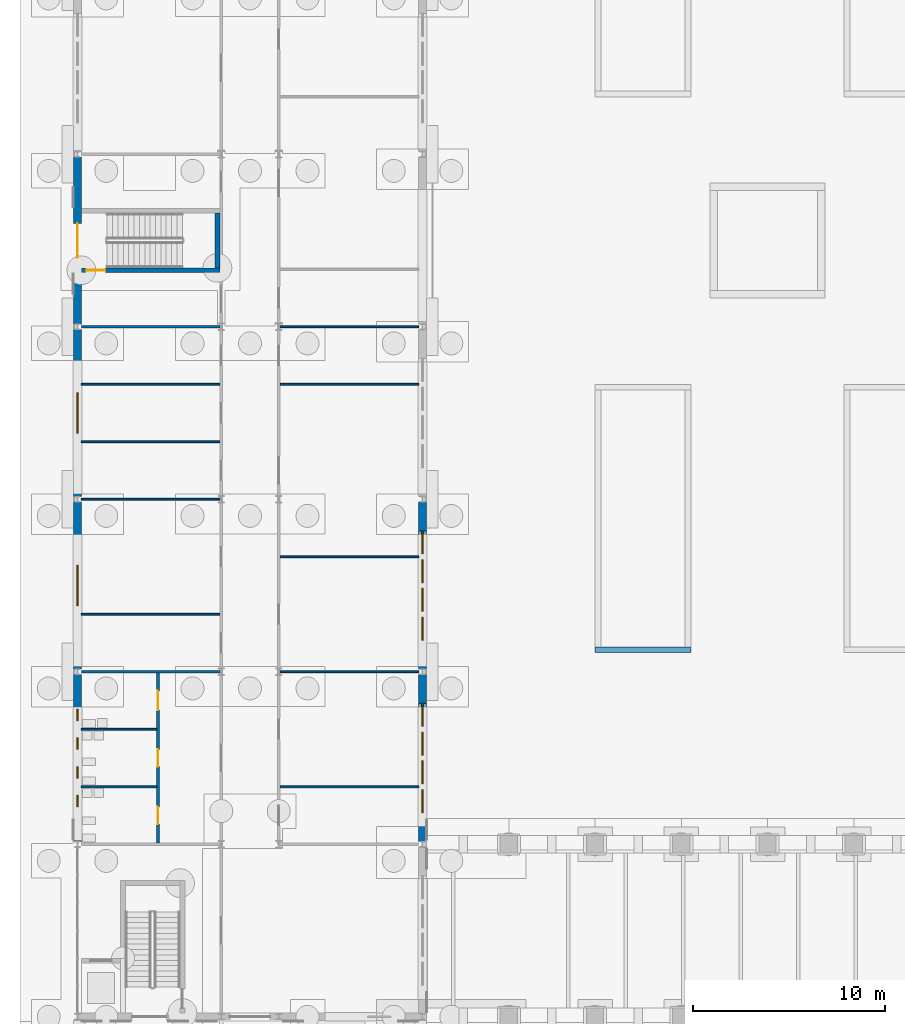
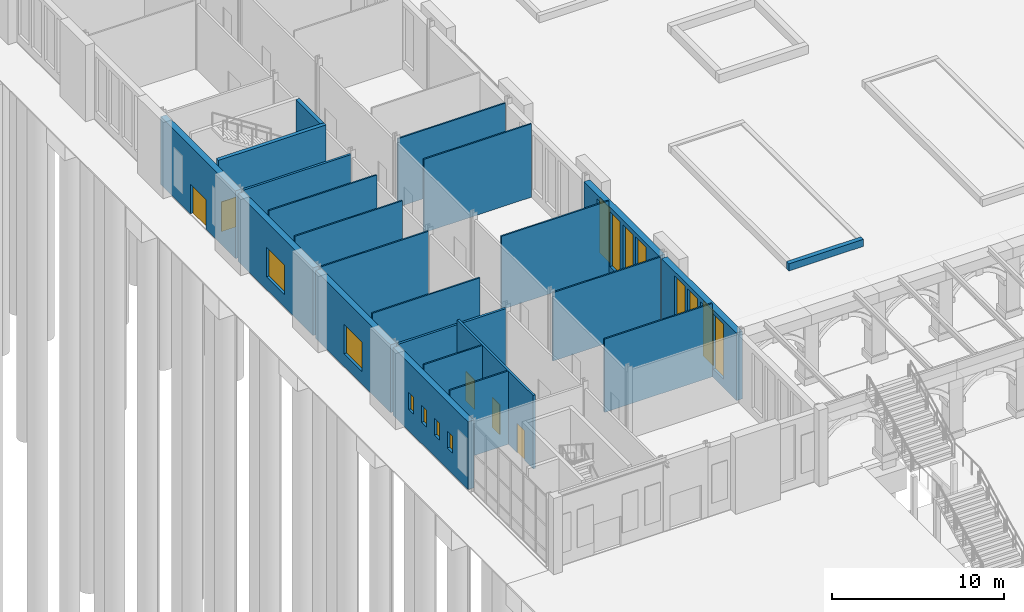
# One storey, part 84 of 168: 23 walls, 14 windows, 5 doors, 19 openings.
"""IFC4 building model written with IfcOpenShell, lengths in metres."""

from ifc_helpers import new_model, si_unit, direction, frame, frame_2d, origin, place, context, subcontext, project, spatial, rectangle, extrude, material, layer, layer_set, type_object, element, fill, save


model = new_model("IFC4")

# Units and contexts
model_context = context("Model", 3, precision=1e-05, world=origin(), true_north=direction((0.0, 1.0)))
body_context = subcontext(model_context, "Body", "Model", "MODEL_VIEW")
ifc_project = project(units=[si_unit("LENGTHUNIT", "METRE"), si_unit("AREAUNIT", "SQUARE_METRE"), si_unit("VOLUMEUNIT", "CUBIC_METRE"), si_unit("PLANEANGLEUNIT", "RADIAN"), si_unit("MASSUNIT", "GRAM", prefix="KILO")], contexts=[model_context])

# Site, building, storey
site_placement = place(None, origin())
site = spatial("IfcSite", under=ifc_project, at=site_placement, CompositionType="ELEMENT")
building_placement = place(site_placement, origin())
building = spatial("IfcBuilding", under=site, at=building_placement, Name="Golden Quay Civic Hall", CompositionType="ELEMENT")
storey_placement = place(building_placement, origin())
storey = spatial("IfcBuildingStorey", under=building, at=storey_placement, Name="L00", CompositionType="ELEMENT", Elevation=0.0)

# Wall
ifc_material_1 = material(Name="Brick, dark clay facing", Category="masonry")
ifc_layer_1 = layer(ifc_material_1, 0.300048828125)
ifc_layer_set_1 = layer_set([ifc_layer_1], Name="Brick planter wall 300")
wall_type_1 = type_object("IfcWallType", Name="Brick planter wall 300", PredefinedType="STANDARD", material=ifc_layer_set_1)
wall_1_placement = place(storey_placement, frame((27.0, 10.14990234375, 0.0), z_axis=(0.0, 0.0, 1.0), x_axis=(1.0, 0.0, 0.0)))
element("IfcWall", 1, at=wall_1_placement, inside=storey, type_object=wall_type_1, Name="Court planter West Court 1", PredefinedType="STANDARD", context=body_context, shape_type="SweptSolid", body=[
    extrude(rectangle(XDim=5.0, YDim=0.300048828125, at=frame_2d((2.5, 0.0))), origin(), (0.0, 0.0, 1.0), 0.5),
])

# Wall, opening, door
ifc_material_2 = material(Name="Concrete C40/50", Category="concrete")
ifc_layer_2 = layer(ifc_material_2, 0.25)
ifc_layer_set_2 = layer_set([ifc_layer_2], Name="Concrete core wall 250, Concrete C40/50")
wall_type_2 = type_object("IfcWallType", Name="Concrete core wall 250", PredefinedType="SHEAR", material=ifc_layer_set_2)
wall_2_placement = place(storey_placement, frame((0.199951171875, 29.949951171875, 0.0), z_axis=(0.0, 0.0, 1.0), x_axis=(1.0, 0.0, 0.0)))
wall_2 = element("IfcWall", 2, at=wall_2_placement, inside=storey, type_object=wall_type_2, Name="Core wall WO-M-W1", PredefinedType="SHEAR", context=body_context, shape_type="SweptSolid", body=[
    extrude(rectangle(XDim=7.22509765625, YDim=0.25, at=frame_2d((3.612548828125, 0.0))), origin(), (0.0, 0.0, 1.0), 5.199951171875),
])
opening_1_placement = place(wall_2_placement, frame((0.25, 0.0, 0.0)))
opening_1 = element("IfcOpeningElement", 3, at=opening_1_placement, cuts=wall_2, Name="Opening L00-D079", PredefinedType="OPENING", context=body_context, shape_type="SweptSolid", body=[
    extrude(rectangle(XDim=1.0, YDim=2.10009765625, at=frame_2d((0.5, 1.050048828125))), frame((0.0, 0.135009765625, 0.0), z_axis=(0.0, -1.0, 0.0), x_axis=(1.0, 0.0, 0.0)), (0.0, 0.0, 1.0), 0.27001953125),
])
ifc_material_3 = material(Name="Steel", Category="steel")
door_type_1 = type_object("IfcDoorType", Name="Steel fire door FD60 1000 x 2100", OperationType="SINGLE_SWING_LEFT", PredefinedType="DOOR", material=ifc_material_3)
door_1_placement = place(opening_1_placement, origin())
door_1 = element("IfcDoor", 4, at=door_1_placement, inside=storey, type_object=door_type_1, Name="Door L00-D079", OperationType="SINGLE_SWING_LEFT", OverallHeight=2.10009765625, OverallWidth=1.0, PredefinedType="DOOR", context=body_context, shape_type="SweptSolid", body=[
    extrude(rectangle(XDim=1.0, YDim=2.10009765625, at=frame_2d((0.5, 1.050048828125))), frame((0.0, 0.02490234375, 0.0), z_axis=(0.0, -1.0, 0.0), x_axis=(1.0, 0.0, 0.0)), (0.0, 0.0, 1.0), 0.050048828125),
])
fill(opening_1, door_1)

# Walls
wall_3_placement = place(storey_placement, frame((7.300048828125, 30.074951171875, 0.0), z_axis=(0.0, 0.0, 1.0), x_axis=(0.0, 1.0, 0.0)))
element("IfcWall", 5, at=wall_3_placement, inside=storey, type_object=wall_type_2, Name="Core wall WO-M-W3", PredefinedType="SHEAR", context=body_context, shape_type="SweptSolid", body=[
    extrude(rectangle(XDim=2.85009765625, YDim=0.25, at=frame_2d((1.425048828125, 0.0))), origin(), (0.0, 0.0, 1.0), 5.199951171875),
])
ifc_material_4 = material(Name="Plasterboard on steel studs", Category="steel")
ifc_layer_3 = layer(ifc_material_4, 0.10009765625)
ifc_layer_set_3 = layer_set([ifc_layer_3], Name="Partition 100 stud")
wall_type_3 = type_object("IfcWallType", Name="Partition 100 stud", PredefinedType="PARTITIONING", material=ifc_layer_set_3)
wall_4_placement = place(storey_placement, frame((0.199951171875, 12.0, 0.0), z_axis=(0.0, 0.0, 1.0), x_axis=(1.0, 0.0, 0.0)))
element("IfcWall", 6, at=wall_4_placement, inside=storey, type_object=wall_type_3, Name="Partition L00-001", PredefinedType="PARTITIONING", context=body_context, shape_type="SweptSolid", body=[
    extrude(rectangle(XDim=7.22509765625, YDim=0.10009765625, at=frame_2d((3.612548828125, 0.0))), origin(), (0.0, 0.0, 1.0), 5.199951171875),
])
wall_5_placement = place(storey_placement, frame((0.199951171875, 18.0, 0.0), z_axis=(0.0, 0.0, 1.0), x_axis=(1.0, 0.0, 0.0)))
element("IfcWall", 7, at=wall_5_placement, inside=storey, type_object=wall_type_3, Name="Partition L00-002", PredefinedType="PARTITIONING", context=body_context, shape_type="SweptSolid", body=[
    extrude(rectangle(XDim=7.22509765625, YDim=0.10009765625, at=frame_2d((3.612548828125, 0.0))), origin(), (0.0, 0.0, 1.0), 4.85009765625),
])
for number, where, z_axis, x_axis, name in (
    (8, (0.199951171875, 21.0, 0.0), (0.0, 0.0, 1.0), (1.0, 0.0, 0.0), "Partition L00-003"),
    (9, (0.199951171875, 24.0, 0.0), (0.0, 0.0, 1.0), (1.0, 0.0, 0.0), "Partition L00-004"),
    (10, (10.574951171875, 3.0, 0.0), (0.0, 0.0, 1.0), (1.0, 0.0, 0.0), "Partition L00-011"),
):
    element("IfcWall", number, at=place(storey_placement, frame(where, z_axis=z_axis, x_axis=x_axis)), inside=storey, type_object=wall_type_3, Name=name, PredefinedType="PARTITIONING", context=body_context, shape_type="SweptSolid", body=[
        extrude(rectangle(XDim=7.22509765625, YDim=0.10009765625, at=frame_2d((3.612548828125, 0.0))), origin(), (0.0, 0.0, 1.0), 5.199951171875),
    ])
wall_6_placement = place(storey_placement, frame((10.574951171875, 9.0, 0.0), z_axis=(0.0, 0.0, 1.0), x_axis=(1.0, 0.0, 0.0)))
element("IfcWall", 11, at=wall_6_placement, inside=storey, type_object=wall_type_3, Name="Partition L00-012", PredefinedType="PARTITIONING", context=body_context, shape_type="SweptSolid", body=[
    extrude(rectangle(XDim=7.22509765625, YDim=0.10009765625, at=frame_2d((3.612548828125, 0.0))), origin(), (0.0, 0.0, 1.0), 4.85009765625),
])
for number, where, z_axis, x_axis, name in (
    (12, (10.574951171875, 15.0, 0.0), (0.0, 0.0, 1.0), (1.0, 0.0, 0.0), "Partition L00-013"),
    (13, (10.574951171875, 24.0, 0.0), (0.0, 0.0, 1.0), (1.0, 0.0, 0.0), "Partition L00-014"),
):
    element("IfcWall", number, at=place(storey_placement, frame(where, z_axis=z_axis, x_axis=x_axis)), inside=storey, type_object=wall_type_3, Name=name, PredefinedType="PARTITIONING", context=body_context, shape_type="SweptSolid", body=[
        extrude(rectangle(XDim=7.22509765625, YDim=0.10009765625, at=frame_2d((3.612548828125, 0.0))), origin(), (0.0, 0.0, 1.0), 5.199951171875),
    ])
wall_7_placement = place(storey_placement, frame((10.574951171875, 27.0, 0.0), z_axis=(0.0, 0.0, 1.0), x_axis=(1.0, 0.0, 0.0)))
element("IfcWall", 14, at=wall_7_placement, inside=storey, type_object=wall_type_3, Name="Partition L00-015", PredefinedType="PARTITIONING", context=body_context, shape_type="SweptSolid", body=[
    extrude(rectangle(XDim=7.22509765625, YDim=0.10009765625, at=frame_2d((3.612548828125, 0.0))), origin(), (0.0, 0.0, 1.0), 4.85009765625),
])
for number, where, z_axis, x_axis, name in (
    (15, (0.199951171875, 3.0, 0.0), (0.0, 0.0, 1.0), (1.0, 0.0, 0.0), "Partition L00-035"),
    (16, (0.199951171875, 6.0, 0.0), (0.0, 0.0, 1.0), (1.0, 0.0, 0.0), "Partition L00-036"),
):
    element("IfcWall", number, at=place(storey_placement, frame(where, z_axis=z_axis, x_axis=x_axis)), inside=storey, type_object=wall_type_3, Name=name, PredefinedType="PARTITIONING", context=body_context, shape_type="SweptSolid", body=[
        extrude(rectangle(XDim=3.925048828125, YDim=0.10009765625, at=frame_2d((1.96240234375, 0.0))), origin(), (0.0, 0.0, 1.0), 5.199951171875),
    ])
ifc_material_5 = material(Name="Plasterboard on steel studs", Category="steel")
ifc_layer_4 = layer(ifc_material_5, 0.14990234375)
ifc_layer_set_4 = layer_set([ifc_layer_4], Name="Partition 150 stud fire EI 60")
wall_type_4 = type_object("IfcWallType", Name="Partition 150 stud fire EI 60", PredefinedType="PARTITIONING", material=ifc_layer_set_4)
for number, where, z_axis, x_axis, name in (
    (17, (0.199951171875, 9.0, 0.0), (0.0, 0.0, 1.0), (1.0, 0.0, 0.0), "Partition L00-000"),
    (18, (0.199951171875, 27.0, 0.0), (0.0, 0.0, 1.0), (1.0, 0.0, 0.0), "Partition L00-005"),
):
    element("IfcWall", number, at=place(storey_placement, frame(where, z_axis=z_axis, x_axis=x_axis)), inside=storey, type_object=wall_type_4, Name=name, PredefinedType="PARTITIONING", context=body_context, shape_type="SweptSolid", body=[
        extrude(rectangle(XDim=7.22509765625, YDim=0.14990234375, at=frame_2d((3.612548828125, 0.0))), origin(), (0.0, 0.0, 1.0), 4.85009765625),
    ])

# Wall, openings, doors
wall_8_placement = place(storey_placement, frame((4.199951171875, 0.074951171875, 0.0), z_axis=(0.0, 0.0, 1.0), x_axis=(0.0, 1.0, 0.0)))
wall_8 = element("IfcWall", 19, at=wall_8_placement, inside=storey, type_object=wall_type_4, Name="Partition L00-034", PredefinedType="PARTITIONING", context=body_context, shape_type="SweptSolid", body=[
    extrude(rectangle(XDim=8.85009765625, YDim=0.14990234375, at=frame_2d((4.425048828125, 0.0))), origin(), (0.0, 0.0, 1.0), 5.199951171875),
])
opening_2_placement = place(wall_8_placement, frame((0.97509765625, 0.0, 0.0)))
opening_2 = element("IfcOpeningElement", 20, at=opening_2_placement, cuts=wall_8, Name="Opening L00-D070", PredefinedType="OPENING", context=body_context, shape_type="SweptSolid", body=[
    extrude(rectangle(XDim=0.89990234375, YDim=2.10009765625, at=frame_2d((0.449951171875, 1.050048828125))), frame((0.0, 0.0849609375, 0.0), z_axis=(0.0, -1.0, 0.0), x_axis=(1.0, 0.0, 0.0)), (0.0, 0.0, 1.0), 0.169921875),
])
opening_3_placement = place(wall_8_placement, frame((3.97509765625, 0.0, 0.0)))
opening_3 = element("IfcOpeningElement", 21, at=opening_3_placement, cuts=wall_8, Name="Opening L00-D071", PredefinedType="OPENING", context=body_context, shape_type="SweptSolid", body=[
    extrude(rectangle(XDim=0.89990234375, YDim=2.10009765625, at=frame_2d((0.449951171875, 1.050048828125))), frame((0.0, 0.0849609375, 0.0), z_axis=(0.0, -1.0, 0.0), x_axis=(1.0, 0.0, 0.0)), (0.0, 0.0, 1.0), 0.169921875),
])
opening_4_placement = place(wall_8_placement, frame((6.925048828125, 0.0, 0.0)))
opening_4 = element("IfcOpeningElement", 22, at=opening_4_placement, cuts=wall_8, Name="Opening L00-D072", PredefinedType="OPENING", context=body_context, shape_type="SweptSolid", body=[
    extrude(rectangle(XDim=1.0, YDim=2.10009765625, at=frame_2d((0.5, 1.050048828125))), frame((0.0, 0.0849609375, 0.0), z_axis=(0.0, -1.0, 0.0), x_axis=(1.0, 0.0, 0.0)), (0.0, 0.0, 1.0), 0.169921875),
])
ifc_material_6 = material(Name="Timber", Category="wood")
door_type_2 = type_object("IfcDoorType", Name="Timber door 1000 x 2100", OperationType="SINGLE_SWING_LEFT", PredefinedType="DOOR", material=ifc_material_6)
door_2_placement = place(opening_4_placement, origin())
door_2 = element("IfcDoor", 23, at=door_2_placement, inside=storey, type_object=door_type_2, Name="Door L00-D072", OperationType="SINGLE_SWING_LEFT", OverallHeight=2.10009765625, OverallWidth=1.0, PredefinedType="DOOR", context=body_context, shape_type="SweptSolid", body=[
    extrude(rectangle(XDim=1.0, YDim=2.10009765625, at=frame_2d((0.5, 1.050048828125))), frame((0.0, 0.02490234375, 0.0), z_axis=(0.0, -1.0, 0.0), x_axis=(1.0, 0.0, 0.0)), (0.0, 0.0, 1.0), 0.050048828125),
])
fill(opening_4, door_2)
ifc_material_7 = material(Name="Timber", Category="wood")
door_type_3 = type_object("IfcDoorType", Name="Timber door 900 x 2100", OperationType="SINGLE_SWING_LEFT", PredefinedType="DOOR", material=ifc_material_7)
door_3_placement = place(opening_2_placement, origin())
door_3 = element("IfcDoor", 24, at=door_3_placement, inside=storey, type_object=door_type_3, Name="Door L00-D070", OperationType="SINGLE_SWING_LEFT", OverallHeight=2.10009765625, OverallWidth=0.89990234375, PredefinedType="DOOR", context=body_context, shape_type="SweptSolid", body=[
    extrude(rectangle(XDim=0.89990234375, YDim=2.10009765625, at=frame_2d((0.449951171875, 1.050048828125))), frame((0.0, 0.02490234375, 0.0), z_axis=(0.0, -1.0, 0.0), x_axis=(1.0, 0.0, 0.0)), (0.0, 0.0, 1.0), 0.050048828125),
])
fill(opening_2, door_3)
door_4_placement = place(opening_3_placement, origin())
door_4 = element("IfcDoor", 25, at=door_4_placement, inside=storey, type_object=door_type_3, Name="Door L00-D071", OperationType="SINGLE_SWING_LEFT", OverallHeight=2.10009765625, OverallWidth=0.89990234375, PredefinedType="DOOR", context=body_context, shape_type="SweptSolid", body=[
    extrude(rectangle(XDim=0.89990234375, YDim=2.10009765625, at=frame_2d((0.449951171875, 1.050048828125))), frame((0.0, 0.02490234375, 0.0), z_axis=(0.0, -1.0, 0.0), x_axis=(1.0, 0.0, 0.0)), (0.0, 0.0, 1.0), 0.050048828125),
])
fill(opening_3, door_4)

# Wall, openings, windows
ifc_material_8 = material(Name="Clay block, rendered, cream")
ifc_layer_5 = layer(ifc_material_8, 0.39990234375)
ifc_layer_set_5 = layer_set([ifc_layer_5], Name="Rendered block external wall 400")
wall_type_5 = type_object("IfcWallType", Name="Rendered block external wall 400", PredefinedType="STANDARD", material=ifc_layer_set_5)
wall_9_placement = place(storey_placement, frame((0.0, 0.14990234375, 0.0), z_axis=(0.0, 0.0, 1.0), x_axis=(0.0, 1.0, 0.0)))
wall_9 = element("IfcWall", 26, at=wall_9_placement, inside=storey, type_object=wall_type_5, Name="Rendered block external wall 400 L00 1", PredefinedType="STANDARD", context=body_context, shape_type="SweptSolid", body=[
    extrude(rectangle(XDim=8.7001953125, YDim=0.39990234375, at=frame_2d((4.35009765625, 0.0))), origin(), (0.0, 0.0, 1.0), 4.800048828125),
])
opening_5_placement = place(wall_9_placement, frame((1.800048828125, 0.0, 1.5)))
opening_5 = element("IfcOpeningElement", 27, at=opening_5_placement, cuts=wall_9, Name="Opening WN1", PredefinedType="OPENING", context=body_context, shape_type="SweptSolid", body=[
    extrude(rectangle(XDim=0.60009765625, YDim=1.199951171875, at=frame_2d((0.300048828125, 0.60009765625))), frame((0.0, 0.2099609375, 0.0), z_axis=(0.0, -1.0, 0.0), x_axis=(1.0, 0.0, 0.0)), (0.0, 0.0, 1.0), 0.419921875),
])
opening_6_placement = place(wall_9_placement, frame((3.300048828125, 0.0, 1.5)))
opening_6 = element("IfcOpeningElement", 28, at=opening_6_placement, cuts=wall_9, Name="Opening WN1", PredefinedType="OPENING", context=body_context, shape_type="SweptSolid", body=[
    extrude(rectangle(XDim=0.60009765625, YDim=1.199951171875, at=frame_2d((0.300048828125, 0.60009765625))), frame((0.0, 0.2099609375, 0.0), z_axis=(0.0, -1.0, 0.0), x_axis=(1.0, 0.0, 0.0)), (0.0, 0.0, 1.0), 0.419921875),
])
opening_7_placement = place(wall_9_placement, frame((4.800048828125, 0.0, 1.5)))
opening_7 = element("IfcOpeningElement", 29, at=opening_7_placement, cuts=wall_9, Name="Opening WN1", PredefinedType="OPENING", context=body_context, shape_type="SweptSolid", body=[
    extrude(rectangle(XDim=0.60009765625, YDim=1.199951171875, at=frame_2d((0.300048828125, 0.60009765625))), frame((0.0, 0.2099609375, 0.0), z_axis=(0.0, -1.0, 0.0), x_axis=(1.0, 0.0, 0.0)), (0.0, 0.0, 1.0), 0.419921875),
])
opening_8_placement = place(wall_9_placement, frame((6.300048828125, 0.0, 1.5)))
opening_8 = element("IfcOpeningElement", 30, at=opening_8_placement, cuts=wall_9, Name="Opening WN1", PredefinedType="OPENING", context=body_context, shape_type="SweptSolid", body=[
    extrude(rectangle(XDim=0.60009765625, YDim=1.199951171875, at=frame_2d((0.300048828125, 0.60009765625))), frame((0.0, 0.2099609375, 0.0), z_axis=(0.0, -1.0, 0.0), x_axis=(1.0, 0.0, 0.0)), (0.0, 0.0, 1.0), 0.419921875),
])
ifc_material_9 = material(Name="Aluminium frame, double glazed", Category="aluminium")
window_type_1 = type_object("IfcWindowType", Name="WC window 600 x 1200", PartitioningType="SINGLE_PANEL", PredefinedType="WINDOW", material=ifc_material_9)
window_1_placement = place(opening_5_placement, origin())
window_1 = element("IfcWindow", 31, at=window_1_placement, inside=storey, type_object=window_type_1, Name="WC window 600 x 1200 L00 1", OverallHeight=1.199951171875, OverallWidth=0.60009765625, PartitioningType="SINGLE_PANEL", PredefinedType="WINDOW", context=body_context, shape_type="SweptSolid", body=[
    extrude(rectangle(XDim=0.60009765625, YDim=1.199951171875, at=frame_2d((0.300048828125, 0.60009765625))), frame((0.0, 0.030029296875, 0.0), z_axis=(0.0, -1.0, 0.0), x_axis=(1.0, 0.0, 0.0)), (0.0, 0.0, 1.0), 0.06005859375),
])
fill(opening_5, window_1)
window_2_placement = place(opening_6_placement, origin())
window_2 = element("IfcWindow", 32, at=window_2_placement, inside=storey, type_object=window_type_1, Name="WC window 600 x 1200 L00 2", OverallHeight=1.199951171875, OverallWidth=0.60009765625, PartitioningType="SINGLE_PANEL", PredefinedType="WINDOW", context=body_context, shape_type="SweptSolid", body=[
    extrude(rectangle(XDim=0.60009765625, YDim=1.199951171875, at=frame_2d((0.300048828125, 0.60009765625))), frame((0.0, 0.030029296875, 0.0), z_axis=(0.0, -1.0, 0.0), x_axis=(1.0, 0.0, 0.0)), (0.0, 0.0, 1.0), 0.06005859375),
])
fill(opening_6, window_2)
window_3_placement = place(opening_7_placement, origin())
window_3 = element("IfcWindow", 33, at=window_3_placement, inside=storey, type_object=window_type_1, Name="WC window 600 x 1200 L00 3", OverallHeight=1.199951171875, OverallWidth=0.60009765625, PartitioningType="SINGLE_PANEL", PredefinedType="WINDOW", context=body_context, shape_type="SweptSolid", body=[
    extrude(rectangle(XDim=0.60009765625, YDim=1.199951171875, at=frame_2d((0.300048828125, 0.60009765625))), frame((0.0, 0.030029296875, 0.0), z_axis=(0.0, -1.0, 0.0), x_axis=(1.0, 0.0, 0.0)), (0.0, 0.0, 1.0), 0.06005859375),
])
fill(opening_7, window_3)
window_4_placement = place(opening_8_placement, origin())
window_4 = element("IfcWindow", 34, at=window_4_placement, inside=storey, type_object=window_type_1, Name="WC window 600 x 1200 L00 4", OverallHeight=1.199951171875, OverallWidth=0.60009765625, PartitioningType="SINGLE_PANEL", PredefinedType="WINDOW", context=body_context, shape_type="SweptSolid", body=[
    extrude(rectangle(XDim=0.60009765625, YDim=1.199951171875, at=frame_2d((0.300048828125, 0.60009765625))), frame((0.0, 0.030029296875, 0.0), z_axis=(0.0, -1.0, 0.0), x_axis=(1.0, 0.0, 0.0)), (0.0, 0.0, 1.0), 0.06005859375),
])
fill(opening_8, window_4)

# Wall, opening, window
wall_10_placement = place(storey_placement, frame((0.0, 9.14990234375, 0.0), z_axis=(0.0, 0.0, 1.0), x_axis=(0.0, 1.0, 0.0)))
wall_10 = element("IfcWall", 35, at=wall_10_placement, inside=storey, type_object=wall_type_5, Name="Rendered block external wall 400 L00 2", PredefinedType="STANDARD", context=body_context, shape_type="SweptSolid", body=[
    extrude(rectangle(XDim=8.7001953125, YDim=0.39990234375, at=frame_2d((4.35009765625, 0.0))), origin(), (0.0, 0.0, 1.0), 4.800048828125),
])
opening_9_placement = place(wall_10_placement, frame((3.300048828125, 0.0, 0.89990234375)))
opening_9 = element("IfcOpeningElement", 36, at=opening_9_placement, cuts=wall_10, Name="Opening WN2", PredefinedType="OPENING", context=body_context, shape_type="SweptSolid", body=[
    extrude(rectangle(XDim=2.10009765625, YDim=2.10009765625, at=frame_2d((1.050048828125, 1.050048828125))), frame((0.0, 0.2099609375, 0.0), z_axis=(0.0, -1.0, 0.0), x_axis=(1.0, 0.0, 0.0)), (0.0, 0.0, 1.0), 0.419921875),
])
ifc_material_10 = material(Name="Aluminium frame, double glazed", Category="aluminium")
window_type_2 = type_object("IfcWindowType", Name="Corridor end window 2100 x 2100", PartitioningType="SINGLE_PANEL", PredefinedType="WINDOW", material=ifc_material_10)
window_5_placement = place(opening_9_placement, origin())
window_5 = element("IfcWindow", 37, at=window_5_placement, inside=storey, type_object=window_type_2, Name="Corridor end window 2100 x 2100 L00 1", OverallHeight=2.10009765625, OverallWidth=2.10009765625, PartitioningType="SINGLE_PANEL", PredefinedType="WINDOW", context=body_context, shape_type="SweptSolid", body=[
    extrude(rectangle(XDim=2.10009765625, YDim=2.10009765625, at=frame_2d((1.050048828125, 1.050048828125))), frame((0.0, 0.030029296875, 0.0), z_axis=(0.0, -1.0, 0.0), x_axis=(1.0, 0.0, 0.0)), (0.0, 0.0, 1.0), 0.06005859375),
])
fill(opening_9, window_5)

wall_11_placement = place(storey_placement, frame((0.0, 18.14990234375, 0.0), z_axis=(0.0, 0.0, 1.0), x_axis=(0.0, 1.0, 0.0)))
wall_11 = element("IfcWall", 38, at=wall_11_placement, inside=storey, type_object=wall_type_5, Name="Rendered block external wall 400 L00 3", PredefinedType="STANDARD", context=body_context, shape_type="SweptSolid", body=[
    extrude(rectangle(XDim=8.7001953125, YDim=0.39990234375, at=frame_2d((4.35009765625, 0.0))), origin(), (0.0, 0.0, 1.0), 4.800048828125),
])
opening_10_placement = place(wall_11_placement, frame((3.300048828125, 0.0, 0.89990234375)))
opening_10 = element("IfcOpeningElement", 39, at=opening_10_placement, cuts=wall_11, Name="Opening WN2", PredefinedType="OPENING", context=body_context, shape_type="SweptSolid", body=[
    extrude(rectangle(XDim=2.10009765625, YDim=2.10009765625, at=frame_2d((1.050048828125, 1.050048828125))), frame((0.0, 0.2099609375, 0.0), z_axis=(0.0, -1.0, 0.0), x_axis=(1.0, 0.0, 0.0)), (0.0, 0.0, 1.0), 0.419921875),
])
window_6_placement = place(opening_10_placement, origin())
window_6 = element("IfcWindow", 40, at=window_6_placement, inside=storey, type_object=window_type_2, Name="Corridor end window 2100 x 2100 L00 2", OverallHeight=2.10009765625, OverallWidth=2.10009765625, PartitioningType="SINGLE_PANEL", PredefinedType="WINDOW", context=body_context, shape_type="SweptSolid", body=[
    extrude(rectangle(XDim=2.10009765625, YDim=2.10009765625, at=frame_2d((1.050048828125, 1.050048828125))), frame((0.0, 0.030029296875, 0.0), z_axis=(0.0, -1.0, 0.0), x_axis=(1.0, 0.0, 0.0)), (0.0, 0.0, 1.0), 0.06005859375),
])
fill(opening_10, window_6)

# Wall, openings, windows
wall_12_placement = place(storey_placement, frame((18.0, 8.85009765625, 0.0), z_axis=(0.0, 0.0, 1.0), x_axis=(0.0, -1.0, 0.0)))
wall_12 = element("IfcWall", 41, at=wall_12_placement, inside=storey, type_object=wall_type_5, Name="Rendered block external wall 400 L00 13", PredefinedType="STANDARD", context=body_context, shape_type="SweptSolid", body=[
    extrude(rectangle(XDim=8.7001953125, YDim=0.39990234375, at=frame_2d((4.35009765625, 0.0))), origin(), (0.0, 0.0, 1.0), 4.800048828125),
])
opening_11_placement = place(wall_12_placement, frame((6.0, 0.0, 0.60009765625)))
opening_11 = element("IfcOpeningElement", 42, at=opening_11_placement, cuts=wall_12, Name="Opening WN3", PredefinedType="OPENING", context=body_context, shape_type="SweptSolid", body=[
    extrude(rectangle(XDim=1.199951171875, YDim=3.89990234375, at=frame_2d((0.60009765625, 1.949951171875))), frame((0.0, 0.2099609375, 0.0), z_axis=(0.0, -1.0, 0.0), x_axis=(1.0, 0.0, 0.0)), (0.0, 0.0, 1.0), 0.419921875),
])
opening_12_placement = place(wall_12_placement, frame((4.5, 0.0, 0.60009765625)))
opening_12 = element("IfcOpeningElement", 43, at=opening_12_placement, cuts=wall_12, Name="Opening WN3", PredefinedType="OPENING", context=body_context, shape_type="SweptSolid", body=[
    extrude(rectangle(XDim=1.199951171875, YDim=3.89990234375, at=frame_2d((0.60009765625, 1.949951171875))), frame((0.0, 0.2099609375, 0.0), z_axis=(0.0, -1.0, 0.0), x_axis=(1.0, 0.0, 0.0)), (0.0, 0.0, 1.0), 0.419921875),
])
opening_13_placement = place(wall_12_placement, frame((3.0, 0.0, 0.60009765625)))
opening_13 = element("IfcOpeningElement", 44, at=opening_13_placement, cuts=wall_12, Name="Opening WN3", PredefinedType="OPENING", context=body_context, shape_type="SweptSolid", body=[
    extrude(rectangle(XDim=1.199951171875, YDim=3.89990234375, at=frame_2d((0.60009765625, 1.949951171875))), frame((0.0, 0.2099609375, 0.0), z_axis=(0.0, -1.0, 0.0), x_axis=(1.0, 0.0, 0.0)), (0.0, 0.0, 1.0), 0.419921875),
])
opening_14_placement = place(wall_12_placement, frame((1.5, 0.0, 0.60009765625)))
opening_14 = element("IfcOpeningElement", 45, at=opening_14_placement, cuts=wall_12, Name="Opening WN3", PredefinedType="OPENING", context=body_context, shape_type="SweptSolid", body=[
    extrude(rectangle(XDim=1.199951171875, YDim=3.89990234375, at=frame_2d((0.60009765625, 1.949951171875))), frame((0.0, 0.2099609375, 0.0), z_axis=(0.0, -1.0, 0.0), x_axis=(1.0, 0.0, 0.0)), (0.0, 0.0, 1.0), 0.419921875),
])
ifc_material_11 = material(Name="Aluminium frame, double glazed", Category="aluminium")
window_type_3 = type_object("IfcWindowType", Name="Golden grid window 1200 x 3900", PartitioningType="SINGLE_PANEL", PredefinedType="WINDOW", material=ifc_material_11)
window_7_placement = place(opening_11_placement, origin())
window_7 = element("IfcWindow", 46, at=window_7_placement, inside=storey, type_object=window_type_3, Name="Golden grid window 1200 x 3900 L00 21", OverallHeight=3.89990234375, OverallWidth=1.199951171875, PartitioningType="SINGLE_PANEL", PredefinedType="WINDOW", context=body_context, shape_type="SweptSolid", body=[
    extrude(rectangle(XDim=1.199951171875, YDim=3.89990234375, at=frame_2d((0.60009765625, 1.949951171875))), frame((0.0, 0.030029296875, 0.0), z_axis=(0.0, -1.0, 0.0), x_axis=(1.0, 0.0, 0.0)), (0.0, 0.0, 1.0), 0.06005859375),
])
fill(opening_11, window_7)
window_8_placement = place(opening_12_placement, origin())
window_8 = element("IfcWindow", 47, at=window_8_placement, inside=storey, type_object=window_type_3, Name="Golden grid window 1200 x 3900 L00 22", OverallHeight=3.89990234375, OverallWidth=1.199951171875, PartitioningType="SINGLE_PANEL", PredefinedType="WINDOW", context=body_context, shape_type="SweptSolid", body=[
    extrude(rectangle(XDim=1.199951171875, YDim=3.89990234375, at=frame_2d((0.60009765625, 1.949951171875))), frame((0.0, 0.030029296875, 0.0), z_axis=(0.0, -1.0, 0.0), x_axis=(1.0, 0.0, 0.0)), (0.0, 0.0, 1.0), 0.06005859375),
])
fill(opening_12, window_8)
window_9_placement = place(opening_13_placement, origin())
window_9 = element("IfcWindow", 48, at=window_9_placement, inside=storey, type_object=window_type_3, Name="Golden grid window 1200 x 3900 L00 23", OverallHeight=3.89990234375, OverallWidth=1.199951171875, PartitioningType="SINGLE_PANEL", PredefinedType="WINDOW", context=body_context, shape_type="SweptSolid", body=[
    extrude(rectangle(XDim=1.199951171875, YDim=3.89990234375, at=frame_2d((0.60009765625, 1.949951171875))), frame((0.0, 0.030029296875, 0.0), z_axis=(0.0, -1.0, 0.0), x_axis=(1.0, 0.0, 0.0)), (0.0, 0.0, 1.0), 0.06005859375),
])
fill(opening_13, window_9)
window_10_placement = place(opening_14_placement, origin())
window_10 = element("IfcWindow", 49, at=window_10_placement, inside=storey, type_object=window_type_3, Name="Golden grid window 1200 x 3900 L00 24", OverallHeight=3.89990234375, OverallWidth=1.199951171875, PartitioningType="SINGLE_PANEL", PredefinedType="WINDOW", context=body_context, shape_type="SweptSolid", body=[
    extrude(rectangle(XDim=1.199951171875, YDim=3.89990234375, at=frame_2d((0.60009765625, 1.949951171875))), frame((0.0, 0.030029296875, 0.0), z_axis=(0.0, -1.0, 0.0), x_axis=(1.0, 0.0, 0.0)), (0.0, 0.0, 1.0), 0.06005859375),
])
fill(opening_14, window_10)

wall_13_placement = place(storey_placement, frame((18.0, 17.85009765625, 0.0), z_axis=(0.0, 0.0, 1.0), x_axis=(0.0, -1.0, 0.0)))
wall_13 = element("IfcWall", 50, at=wall_13_placement, inside=storey, type_object=wall_type_5, Name="Rendered block external wall 400 L00 14", PredefinedType="STANDARD", context=body_context, shape_type="SweptSolid", body=[
    extrude(rectangle(XDim=8.7001953125, YDim=0.39990234375, at=frame_2d((4.35009765625, 0.0))), origin(), (0.0, 0.0, 1.0), 4.800048828125),
])
opening_15_placement = place(wall_13_placement, frame((6.0, 0.0, 0.60009765625)))
opening_15 = element("IfcOpeningElement", 51, at=opening_15_placement, cuts=wall_13, Name="Opening WN3", PredefinedType="OPENING", context=body_context, shape_type="SweptSolid", body=[
    extrude(rectangle(XDim=1.199951171875, YDim=3.89990234375, at=frame_2d((0.60009765625, 1.949951171875))), frame((0.0, 0.2099609375, 0.0), z_axis=(0.0, -1.0, 0.0), x_axis=(1.0, 0.0, 0.0)), (0.0, 0.0, 1.0), 0.419921875),
])
opening_16_placement = place(wall_13_placement, frame((4.5, 0.0, 0.60009765625)))
opening_16 = element("IfcOpeningElement", 52, at=opening_16_placement, cuts=wall_13, Name="Opening WN3", PredefinedType="OPENING", context=body_context, shape_type="SweptSolid", body=[
    extrude(rectangle(XDim=1.199951171875, YDim=3.89990234375, at=frame_2d((0.60009765625, 1.949951171875))), frame((0.0, 0.2099609375, 0.0), z_axis=(0.0, -1.0, 0.0), x_axis=(1.0, 0.0, 0.0)), (0.0, 0.0, 1.0), 0.419921875),
])
opening_17_placement = place(wall_13_placement, frame((3.0, 0.0, 0.60009765625)))
opening_17 = element("IfcOpeningElement", 53, at=opening_17_placement, cuts=wall_13, Name="Opening WN3", PredefinedType="OPENING", context=body_context, shape_type="SweptSolid", body=[
    extrude(rectangle(XDim=1.199951171875, YDim=3.89990234375, at=frame_2d((0.60009765625, 1.949951171875))), frame((0.0, 0.2099609375, 0.0), z_axis=(0.0, -1.0, 0.0), x_axis=(1.0, 0.0, 0.0)), (0.0, 0.0, 1.0), 0.419921875),
])
opening_18_placement = place(wall_13_placement, frame((1.5, 0.0, 0.60009765625)))
opening_18 = element("IfcOpeningElement", 54, at=opening_18_placement, cuts=wall_13, Name="Opening WN3", PredefinedType="OPENING", context=body_context, shape_type="SweptSolid", body=[
    extrude(rectangle(XDim=1.199951171875, YDim=3.89990234375, at=frame_2d((0.60009765625, 1.949951171875))), frame((0.0, 0.2099609375, 0.0), z_axis=(0.0, -1.0, 0.0), x_axis=(1.0, 0.0, 0.0)), (0.0, 0.0, 1.0), 0.419921875),
])
window_11_placement = place(opening_15_placement, origin())
window_11 = element("IfcWindow", 55, at=window_11_placement, inside=storey, type_object=window_type_3, Name="Golden grid window 1200 x 3900 L00 25", OverallHeight=3.89990234375, OverallWidth=1.199951171875, PartitioningType="SINGLE_PANEL", PredefinedType="WINDOW", context=body_context, shape_type="SweptSolid", body=[
    extrude(rectangle(XDim=1.199951171875, YDim=3.89990234375, at=frame_2d((0.60009765625, 1.949951171875))), frame((0.0, 0.030029296875, 0.0), z_axis=(0.0, -1.0, 0.0), x_axis=(1.0, 0.0, 0.0)), (0.0, 0.0, 1.0), 0.06005859375),
])
fill(opening_15, window_11)
window_12_placement = place(opening_16_placement, origin())
window_12 = element("IfcWindow", 56, at=window_12_placement, inside=storey, type_object=window_type_3, Name="Golden grid window 1200 x 3900 L00 26", OverallHeight=3.89990234375, OverallWidth=1.199951171875, PartitioningType="SINGLE_PANEL", PredefinedType="WINDOW", context=body_context, shape_type="SweptSolid", body=[
    extrude(rectangle(XDim=1.199951171875, YDim=3.89990234375, at=frame_2d((0.60009765625, 1.949951171875))), frame((0.0, 0.030029296875, 0.0), z_axis=(0.0, -1.0, 0.0), x_axis=(1.0, 0.0, 0.0)), (0.0, 0.0, 1.0), 0.06005859375),
])
fill(opening_16, window_12)
window_13_placement = place(opening_17_placement, origin())
window_13 = element("IfcWindow", 57, at=window_13_placement, inside=storey, type_object=window_type_3, Name="Golden grid window 1200 x 3900 L00 27", OverallHeight=3.89990234375, OverallWidth=1.199951171875, PartitioningType="SINGLE_PANEL", PredefinedType="WINDOW", context=body_context, shape_type="SweptSolid", body=[
    extrude(rectangle(XDim=1.199951171875, YDim=3.89990234375, at=frame_2d((0.60009765625, 1.949951171875))), frame((0.0, 0.030029296875, 0.0), z_axis=(0.0, -1.0, 0.0), x_axis=(1.0, 0.0, 0.0)), (0.0, 0.0, 1.0), 0.06005859375),
])
fill(opening_17, window_13)
window_14_placement = place(opening_18_placement, origin())
window_14 = element("IfcWindow", 58, at=window_14_placement, inside=storey, type_object=window_type_3, Name="Golden grid window 1200 x 3900 L00 28", OverallHeight=3.89990234375, OverallWidth=1.199951171875, PartitioningType="SINGLE_PANEL", PredefinedType="WINDOW", context=body_context, shape_type="SweptSolid", body=[
    extrude(rectangle(XDim=1.199951171875, YDim=3.89990234375, at=frame_2d((0.60009765625, 1.949951171875))), frame((0.0, 0.030029296875, 0.0), z_axis=(0.0, -1.0, 0.0), x_axis=(1.0, 0.0, 0.0)), (0.0, 0.0, 1.0), 0.06005859375),
])
fill(opening_18, window_14)

# Wall, opening, door
ifc_material_12 = material(Name="Clay block, rendered, cream")
ifc_layer_6 = layer(ifc_material_12, 0.39990234375)
ifc_layer_set_6 = layer_set([ifc_layer_6], Name="Rendered block external wall 400 fire EI 60")
wall_type_6 = type_object("IfcWallType", Name="Rendered block external wall 400 fire EI 60", PredefinedType="STANDARD", material=ifc_layer_set_6)
wall_14_placement = place(storey_placement, frame((0.0, 27.14990234375, 0.0), z_axis=(0.0, 0.0, 1.0), x_axis=(0.0, 1.0, 0.0)))
wall_14 = element("IfcWall", 59, at=wall_14_placement, inside=storey, type_object=wall_type_6, Name="Rendered block external wall 400 fire EI 60 L00 1", PredefinedType="STANDARD", context=body_context, shape_type="SweptSolid", body=[
    extrude(rectangle(XDim=8.7001953125, YDim=0.39990234375, at=frame_2d((4.35009765625, 0.0))), origin(), (0.0, 0.0, 1.0), 4.800048828125),
])
opening_19_placement = place(wall_14_placement, frame((3.449951171875, 0.0, 0.0)))
opening_19 = element("IfcOpeningElement", 60, at=opening_19_placement, cuts=wall_14, Name="Opening L00-D001", PredefinedType="OPENING", context=body_context, shape_type="SweptSolid", body=[
    extrude(rectangle(XDim=1.800048828125, YDim=2.10009765625, at=frame_2d((0.89990234375, 1.050048828125))), frame((0.0, 0.2099609375, 0.0), z_axis=(0.0, -1.0, 0.0), x_axis=(1.0, 0.0, 0.0)), (0.0, 0.0, 1.0), 0.419921875),
])
ifc_material_13 = material(Name="Steel", Category="steel")
door_type_4 = type_object("IfcDoorType", Name="Steel double exit door FD60 1800 x 2100", OperationType="DOUBLE_DOOR_SINGLE_SWING", PredefinedType="DOOR", material=ifc_material_13)
door_5_placement = place(opening_19_placement, origin())
door_5 = element("IfcDoor", 61, at=door_5_placement, inside=storey, type_object=door_type_4, Name="Door L00-D001", OperationType="DOUBLE_DOOR_SINGLE_SWING", OverallHeight=2.10009765625, OverallWidth=1.800048828125, PredefinedType="DOOR", context=body_context, shape_type="SweptSolid", body=[
    extrude(rectangle(XDim=1.800048828125, YDim=2.10009765625, at=frame_2d((0.89990234375, 1.050048828125))), frame((0.0, 0.02490234375, 0.0), z_axis=(0.0, -1.0, 0.0), x_axis=(1.0, 0.0, 0.0)), (0.0, 0.0, 1.0), 0.050048828125),
])
fill(opening_19, door_5)

save(model, "model.ifc")
